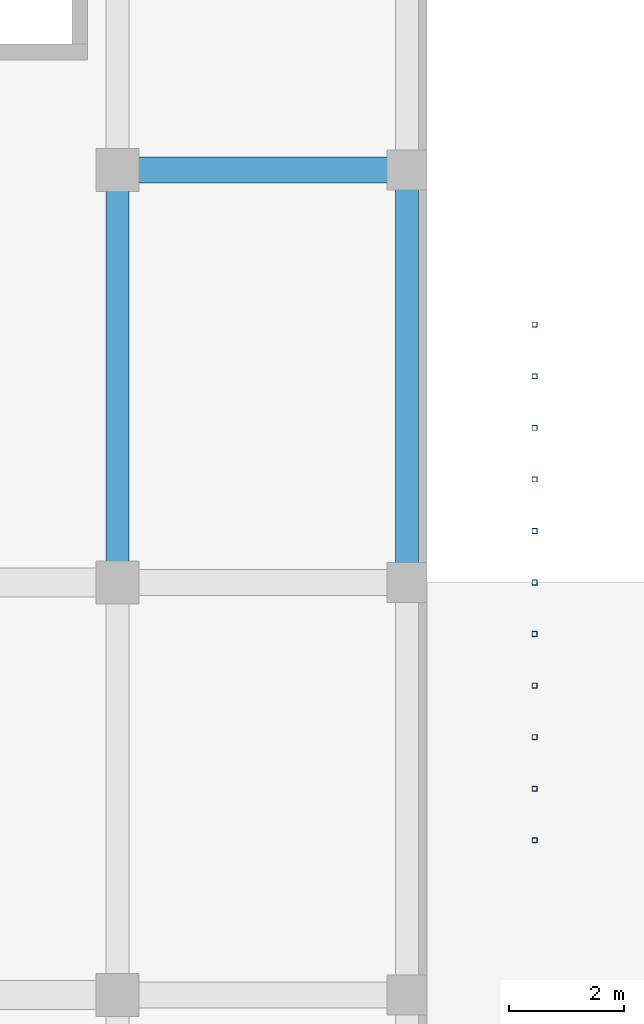
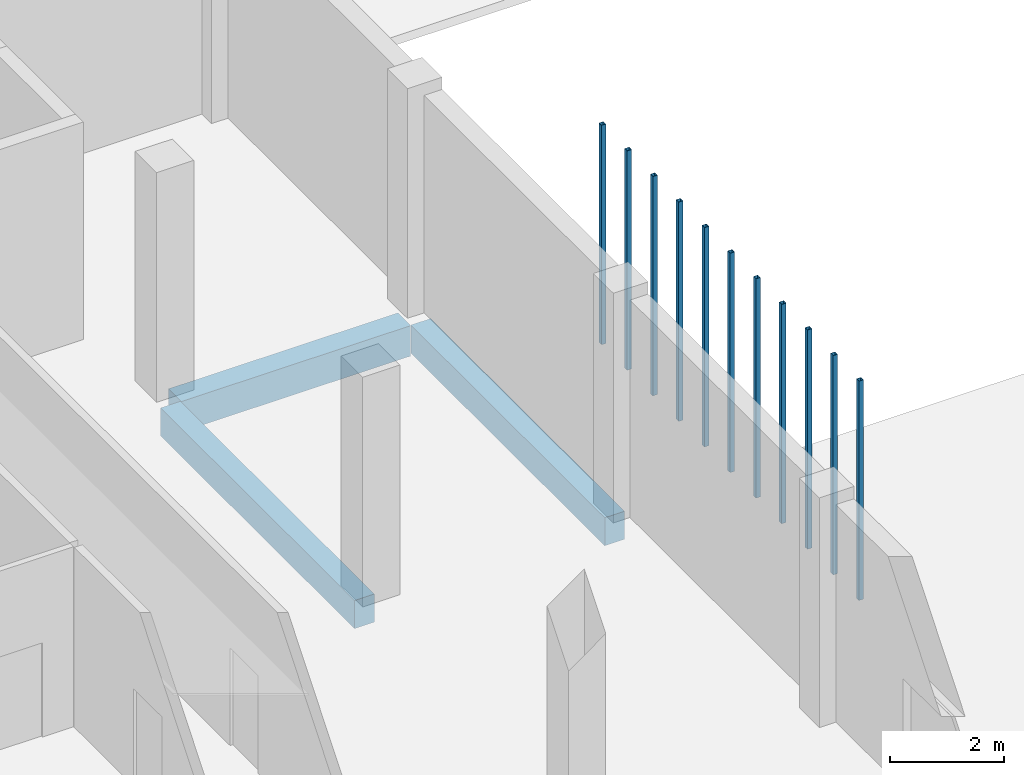
# One storey, part 10 of 85: 11 members, 3 beams.
"""IFC4 building model written with IfcOpenShell, lengths in metres."""

from ifc_helpers import new_model, si_unit, derived_unit, direction, frame, origin, origin_2d, place, context, subcontext, project, spatial, rectangle, hollow_rectangle, extrude, material, material_profile, profile_set, type_object, element, save


model = new_model("IFC4")

# Units and contexts
model_context = context("Model", 3, precision=1e-05, world=origin(), true_north=direction((0.0, 1.0)))
body_context = subcontext(model_context, "Body", "Model", "MODEL_VIEW")
ifc_project = project(units=[si_unit("LENGTHUNIT", "METRE"), si_unit("AREAUNIT", "SQUARE_METRE"), si_unit("VOLUMEUNIT", "CUBIC_METRE"), si_unit("PLANEANGLEUNIT", "RADIAN"), si_unit("MASSUNIT", "GRAM", prefix="KILO"), derived_unit("THERMALTRANSMITTANCEUNIT", [(si_unit("MASSUNIT", "GRAM", prefix="KILO"), 1), (si_unit("TIMEUNIT", "SECOND"), -3), (si_unit("THERMODYNAMICTEMPERATUREUNIT", "KELVIN"), -1)])], contexts=[model_context])

# Site, building, storey
site_placement = place(None, origin())
site = spatial("IfcSite", under=ifc_project, at=site_placement, CompositionType="ELEMENT")
building_placement = place(site_placement, origin())
building = spatial("IfcBuilding", under=site, at=building_placement, Name="Ochrekiln Boulevard Commons", CompositionType="ELEMENT")
storey_placement = place(building_placement, origin())
storey = spatial("IfcBuildingStorey", under=building, at=storey_placement, Name="L00", CompositionType="ELEMENT", Elevation=0.0)

# Beams
ifc_material_1 = material(Name="Concrete C35/45", Category="concrete")
ifc_material_profile_1 = material_profile(ifc_material_1, rectangle(XDim=0.39990234375, YDim=0.60009765625, at=origin_2d()), Name="RC-BM-400x600")
ifc_profile_set_1 = profile_set([ifc_material_profile_1], Name="Concrete C35/45")
beam_type_1 = type_object("IfcBeamType", Name="BM-RC-400x600", PredefinedType="BEAM", material=ifc_profile_set_1)
for number, where, z_axis, x_axis, name in (
    (1, (16.199951171875, 36.2099609375, -0.580078125), (0.0, 1.0, 0.0), (-1.0, 0.0, 0.0), "Block D L00 Beam B-4060 Y42"),
    (2, (21.25, 36.2099609375, -0.580078125), (0.0, 1.0, 0.0), (-1.0, 0.0, 0.0), "Block D L00 Beam B-4060 Y49"),
):
    element("IfcBeam", number, at=place(storey_placement, frame(where, z_axis=z_axis, x_axis=x_axis)), inside=storey, type_object=beam_type_1, Name=name, PredefinedType="BEAM", context=body_context, shape_type="SweptSolid", body=[
        extrude(rectangle(XDim=0.39990234375, YDim=0.60009765625, at=origin_2d()), origin(), (0.0, 0.0, 1.0), 6.780029296875),
    ])
ifc_material_profile_2 = material_profile(ifc_material_1, rectangle(XDim=0.449951171875, YDim=0.64990234375, at=origin_2d()), Name="RC-BM-450x650")
ifc_profile_set_2 = profile_set([ifc_material_profile_2], Name="Concrete C35/45")
beam_type_2 = type_object("IfcBeamType", Name="BM-RC-450x650", PredefinedType="BEAM", material=ifc_profile_set_2)
beam_placement = place(storey_placement, frame((16.409912109375, 43.199951171875, -0.60498046875), z_axis=(1.0, 0.0, 0.0), x_axis=(0.0, 1.0, 0.0)))
element("IfcBeam", 3, at=beam_placement, inside=storey, type_object=beam_type_2, Name="Block D L00 Beam B-4565 X19", PredefinedType="BEAM", context=body_context, shape_type="SweptSolid", body=[
    extrude(rectangle(XDim=0.449951171875, YDim=0.64990234375, at=origin_2d()), origin(), (0.0, 0.0, 1.0), 4.630126953125),
])

# Members
ifc_material_2 = material(Name="Steel A500 Grade C", Category="steel")
ifc_material_profile_3 = material_profile(ifc_material_2, hollow_rectangle(XDim=0.090087890625, YDim=0.090087890625, WallThickness=0.00634765625, at=origin_2d()), Name="HSS90X90X6.4")
ifc_profile_set_3 = profile_set([ifc_material_profile_3], Name="Steel A500 Grade C")
member_type = type_object("IfcMemberType", Name="MEM-PST-HSS90", PredefinedType="POST", material=ifc_profile_set_3)
for number, where, z_axis, x_axis, name in (
    (4, (23.47998046875, 31.5, 0.0), (0.0, 0.0, 1.0), (1.0, 0.0, 0.0), "Block D L00 Slim Vertical Balcony Post (287)"),
    (5, (23.47998046875, 32.39990234375, 0.0), (0.0, 0.0, 1.0), (1.0, 0.0, 0.0), "Block D L00 Slim Vertical Balcony Post (288)"),
    (6, (23.47998046875, 33.300048828125, 0.0), (0.0, 0.0, 1.0), (1.0, 0.0, 0.0), "Block D L00 Slim Vertical Balcony Post (289)"),
    (7, (23.47998046875, 34.199951171875, 0.0), (0.0, 0.0, 1.0), (1.0, 0.0, 0.0), "Block D L00 Slim Vertical Balcony Post (290)"),
    (8, (23.47998046875, 35.10009765625, 0.0), (0.0, 0.0, 1.0), (1.0, 0.0, 0.0), "Block D L00 Slim Vertical Balcony Post (291)"),
    (9, (23.47998046875, 36.0, 0.0), (0.0, 0.0, 1.0), (1.0, 0.0, 0.0), "Block D L00 Slim Vertical Balcony Post (292)"),
    (10, (23.47998046875, 36.89990234375, 0.0), (0.0, 0.0, 1.0), (1.0, 0.0, 0.0), "Block D L00 Slim Vertical Balcony Post (293)"),
    (11, (23.47998046875, 37.800048828125, 0.0), (0.0, 0.0, 1.0), (1.0, 0.0, 0.0), "Block D L00 Slim Vertical Balcony Post (294)"),
    (12, (23.47998046875, 38.699951171875, 0.0), (0.0, 0.0, 1.0), (1.0, 0.0, 0.0), "Block D L00 Slim Vertical Balcony Post (295)"),
    (13, (23.47998046875, 39.60009765625, 0.0), (0.0, 0.0, 1.0), (1.0, 0.0, 0.0), "Block D L00 Slim Vertical Balcony Post (296)"),
    (14, (23.47998046875, 40.5, 0.0), (0.0, 0.0, 1.0), (1.0, 0.0, 0.0), "Block D L00 Slim Vertical Balcony Post (297)"),
):
    element("IfcMember", number, at=place(storey_placement, frame(where, z_axis=z_axis, x_axis=x_axis)), inside=storey, type_object=member_type, Name=name, PredefinedType="POST", context=body_context, shape_type="SweptSolid", body=[
        extrude(hollow_rectangle(XDim=0.090087890625, YDim=0.090087890625, WallThickness=0.00634765625, at=origin_2d()), origin(), (0.0, 0.0, 1.0), 4.679931640625),
    ])

save(model, "model.ifc")
